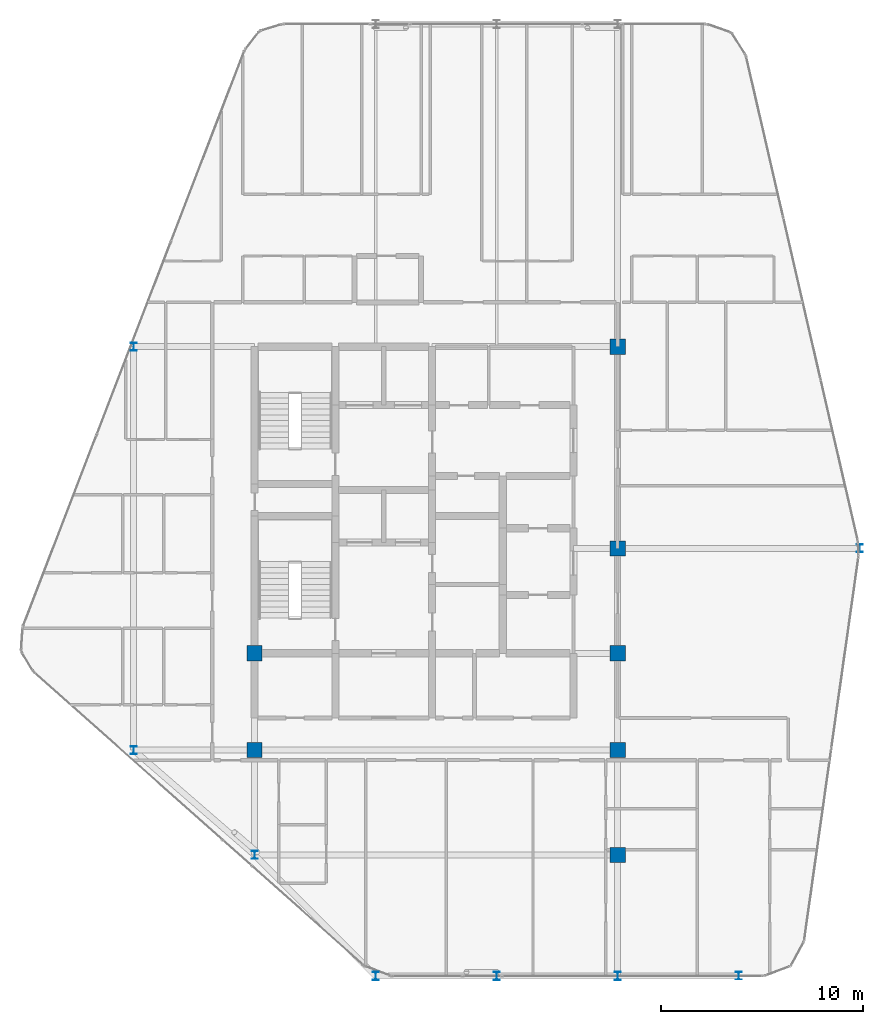
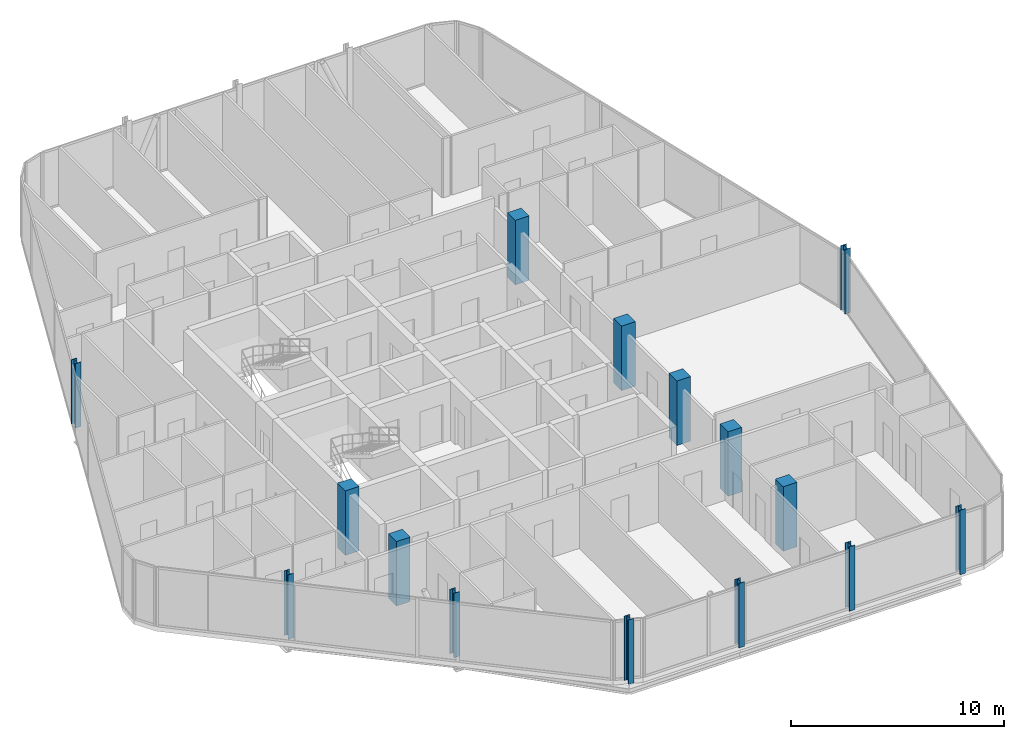
# One storey, part 1 of 27: 15 columns.
"""IFC4 building model written with IfcOpenShell, lengths in metres."""

from ifc_helpers import new_model, si_unit, direction, frame, origin, origin_2d, place, context, subcontext, project, spatial, rectangle, i_section, extrude, material, material_profile, profile_set, type_object, element, save


model = new_model("IFC4")

# Units and contexts
model_context = context("Model", 3, precision=1e-05, world=origin(), true_north=direction((0.0, 1.0)))
body_context = subcontext(model_context, "Body", "Model", "MODEL_VIEW")
ifc_project = project(units=[si_unit("LENGTHUNIT", "METRE"), si_unit("AREAUNIT", "SQUARE_METRE"), si_unit("VOLUMEUNIT", "CUBIC_METRE"), si_unit("PLANEANGLEUNIT", "RADIAN"), si_unit("MASSUNIT", "GRAM", prefix="KILO")], contexts=[model_context])

# Site, building, storey
site_placement = place(None, origin())
site = spatial("IfcSite", under=ifc_project, at=site_placement, CompositionType="ELEMENT")
building_placement = place(site_placement, origin())
building = spatial("IfcBuilding", under=site, at=building_placement, Name="Keshet Zoharim Tower", CompositionType="ELEMENT")
storey_placement = place(building_placement, frame((0.0, 0.0, 269.5)))
storey = spatial("IfcBuildingStorey", under=building, at=storey_placement, Name="L67", CompositionType="ELEMENT", Elevation=269.5)

# Columns
ifc_material_1 = material(Name="Steel S355", Category="steel")
ifc_material_profile_1 = material_profile(ifc_material_1, i_section(OverallWidth=0.300048828125, OverallDepth=0.39990234375, WebThickness=0.013427734375, FlangeThickness=0.02392578125, FilletRadius=0.027099609375, at=origin_2d()), Name="HEB400")
ifc_profile_set_1 = profile_set([ifc_material_profile_1], Name="Steel S355")
column_type_1 = type_object("IfcColumnType", Name="COL-HEB400", PredefinedType="COLUMN", material=ifc_profile_set_1)
for number, where, z_axis, x_axis, name in (
    (1, (9.0, 17.89990234375, 0.0), (0.0, 0.0, 1.0), (1.0, 0.0, 0.0), "L67 Column 2D"),
    (2, (9.0, 37.89990234375, 0.0), (0.0, 0.0, 1.0), (1.0, 0.0, 0.0), "L67 Column 2H"),
    (3, (15.0, 12.699951171875, 0.0), (0.0, 0.0, 1.0), (1.0, 0.0, 0.0), "L67 Column 3C"),
    (4, (21.0, 6.699951171875, 0.0), (0.0, 0.0, 1.0), (1.0, 0.0, 0.0), "L67 Column 4B"),
    (5, (27.0, 6.699951171875, 0.0), (0.0, 0.0, 1.0), (1.0, 0.0, 0.0), "L67 Column 5B"),
    (6, (33.0, 6.699951171875, 0.0), (0.0, 0.0, 1.0), (1.0, 0.0, 0.0), "L67 Column 6B"),
    (7, (39.0, 6.699951171875, 0.0), (0.0, 0.0, 1.0), (1.0, 0.0, 0.0), "L67 Column 7B"),
    (8, (45.0, 27.89990234375, 0.0), (0.0, 0.0, 1.0), (1.0, 0.0, 0.0), "L67 Column 8F"),
):
    element("IfcColumn", number, at=place(storey_placement, frame(where, z_axis=z_axis, x_axis=x_axis)), inside=storey, type_object=column_type_1, Name=name, PredefinedType="COLUMN", context=body_context, shape_type="SweptSolid", body=[
        extrude(i_section(OverallWidth=0.300048828125, OverallDepth=0.39990234375, WebThickness=0.013427734375, FlangeThickness=0.02392578125, FilletRadius=0.027099609375, at=origin_2d()), origin(), (0.0, 0.0, 1.0), 3.699951171875),
    ])
ifc_material_2 = material(Name="Concrete C50/60", Category="concrete")
ifc_material_profile_2 = material_profile(ifc_material_2, rectangle(XDim=0.75, YDim=0.75, at=origin_2d()), Name="RC750x750")
ifc_profile_set_2 = profile_set([ifc_material_profile_2], Name="Concrete C50/60")
column_type_2 = type_object("IfcColumnType", Name="COL-RC750", PredefinedType="COLUMN", material=ifc_profile_set_2)
for number, where, z_axis, x_axis, name in (
    (9, (15.0, 17.89990234375, 0.0), (0.0, 0.0, 1.0), (1.0, 0.0, 0.0), "L67 Column 3D"),
    (10, (15.0, 22.699951171875, 0.0), (0.0, 0.0, 1.0), (1.0, 0.0, 0.0), "L67 Column 3E"),
    (11, (33.0, 12.699951171875, 0.0), (0.0, 0.0, 1.0), (1.0, 0.0, 0.0), "L67 Column 6C"),
    (12, (33.0, 17.89990234375, 0.0), (0.0, 0.0, 1.0), (1.0, 0.0, 0.0), "L67 Column 6D"),
    (13, (33.0, 22.699951171875, 0.0), (0.0, 0.0, 1.0), (1.0, 0.0, 0.0), "L67 Column 6E"),
    (14, (33.0, 27.89990234375, 0.0), (0.0, 0.0, 1.0), (1.0, 0.0, 0.0), "L67 Column 6F"),
    (15, (33.0, 37.89990234375, 0.0), (0.0, 0.0, 1.0), (1.0, 0.0, 0.0), "L67 Column 6H"),
):
    element("IfcColumn", number, at=place(storey_placement, frame(where, z_axis=z_axis, x_axis=x_axis)), inside=storey, type_object=column_type_2, Name=name, PredefinedType="COLUMN", context=body_context, shape_type="SweptSolid", body=[
        extrude(rectangle(XDim=0.75, YDim=0.75, at=origin_2d()), origin(), (0.0, 0.0, 1.0), 3.699951171875),
    ])

save(model, "model.ifc")
